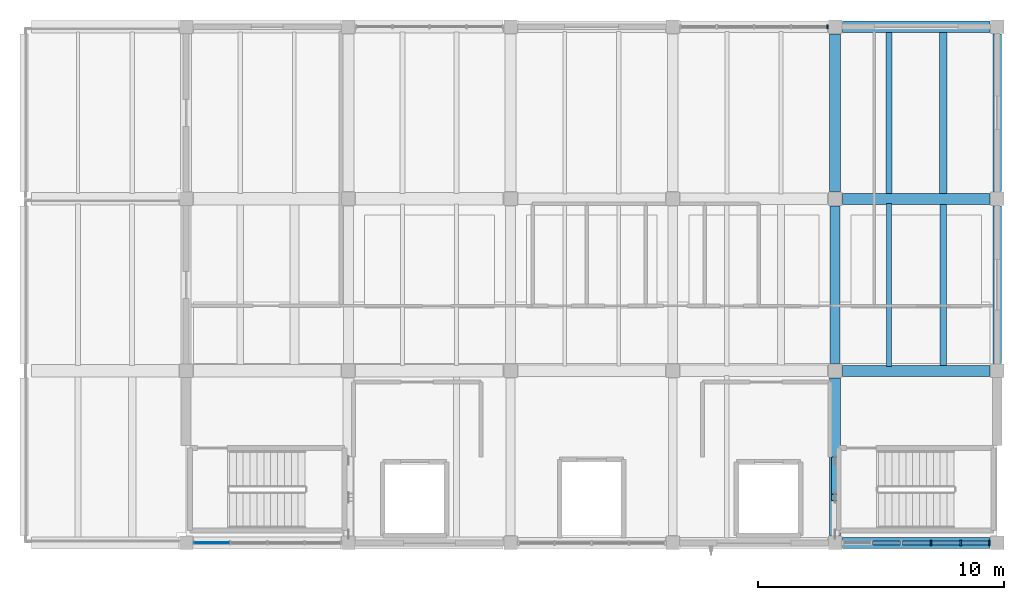
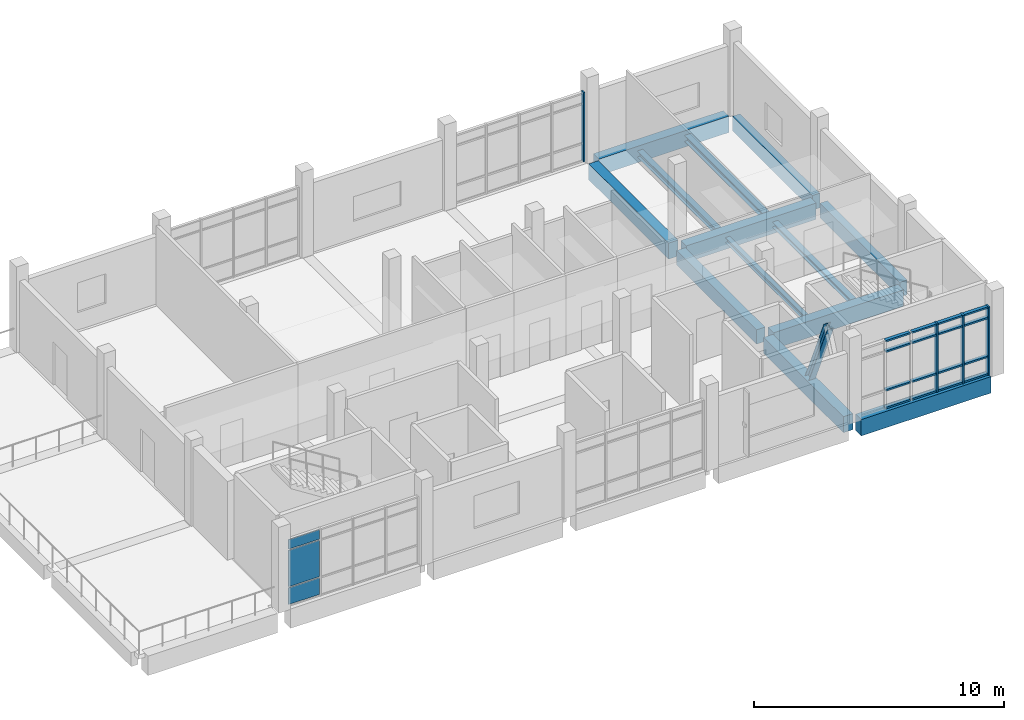
# One storey, part 5 of 12: 21 members, 13 beams, 3 plates, 3 elements without a shape of their own.
"""IFC4 building model written with IfcOpenShell, lengths in metres."""

from ifc_helpers import new_model, si_unit, direction, frame, origin, origin_2d, place, context, subcontext, project, spatial, rectangle, i_section, extrude, material, layer, layer_set, material_profile, profile_set, type_object, element, aggregate, save


model = new_model("IFC4")

# Units and contexts
model_context = context("Model", 3, precision=1e-05, world=origin(), true_north=direction((0.0, 1.0)))
body_context = subcontext(model_context, "Body", "Model", "MODEL_VIEW")
ifc_project = project(units=[si_unit("LENGTHUNIT", "METRE"), si_unit("AREAUNIT", "SQUARE_METRE"), si_unit("VOLUMEUNIT", "CUBIC_METRE"), si_unit("PLANEANGLEUNIT", "RADIAN"), si_unit("MASSUNIT", "GRAM", prefix="KILO")], contexts=[model_context])

# Site, building, storey
site_placement = place(None, origin())
site = spatial("IfcSite", under=ifc_project, at=site_placement, CompositionType="ELEMENT")
building_placement = place(site_placement, origin())
building = spatial("IfcBuilding", under=site, at=building_placement, Name="Ciguamira Faculty of Natural Sciences", CompositionType="ELEMENT")
storey_placement = place(building_placement, frame((0.0, 0.0, 37.800048828125)))
storey = spatial("IfcBuildingStorey", under=building, at=storey_placement, Name="L09", CompositionType="ELEMENT", Elevation=37.800048828125)

# Curtain wall, member
ifc_material_1 = material(Name="Anodized aluminium curtain wall", Category="aluminium")
curtain_wall_type_1 = type_object("IfcCurtainWallType", Name="CurtainWall_CW-08", PredefinedType="USERDEFINED", material=ifc_material_1)
curtain_wall_1_placement = place(storey_placement, origin())
curtain_wall_1 = element("IfcCurtainWall", 1, at=curtain_wall_1_placement, inside=storey, type_object=curtain_wall_type_1, Name="L09 unitised curtain wall 0164", ObjectType="UNITISED CURTAIN WALL", PredefinedType="USERDEFINED")
ifc_material_2 = material(Name="Anodized aluminium mullion", Category="aluminium")
ifc_material_profile_1 = material_profile(ifc_material_2, rectangle(XDim=0.070068359375, YDim=0.179931640625, at=origin_2d()), Name="ALU-MUL-70X180")
ifc_profile_set_1 = profile_set([ifc_material_profile_1], Name="Anodized aluminium mullion")
member_type_1 = type_object("IfcMemberType", Name="CWMullion_CWM-02", PredefinedType="MULLION", material=ifc_profile_set_1)
member_1_placement = place(storey_placement, frame((96.590087890625, 115.0, 0.0), z_axis=(0.0, 0.0, 1.0), x_axis=(1.0, 0.0, 0.0)))
member_1 = element("IfcMember", 2, at=member_1_placement, type_object=member_type_1, Name="CW-08 mullion 5", PredefinedType="MULLION", context=body_context, shape_type="SweptSolid", body=[
    extrude(rectangle(XDim=0.070068359375, YDim=0.179931640625, at=origin_2d()), origin(), (0.0, 0.0, 1.0), 3.385009765625),
])
aggregate(curtain_wall_1, [member_1])

# Curtain wall, members
curtain_wall_type_2 = type_object("IfcCurtainWallType", Name="CurtainWall_CW-06", PredefinedType="USERDEFINED", material=ifc_material_1)
curtain_wall_2_placement = place(storey_placement, origin())
curtain_wall_2 = element("IfcCurtainWall", 3, at=curtain_wall_2_placement, inside=storey, type_object=curtain_wall_type_2, Name="L09 unitised curtain wall 0162", ObjectType="UNITISED CURTAIN WALL", PredefinedType="USERDEFINED")
ifc_material_profile_2 = material_profile(ifc_material_2, rectangle(XDim=0.080078125, YDim=0.219970703125, at=origin_2d()), Name="ALU-MUL-80X220")
ifc_profile_set_2 = profile_set([ifc_material_profile_2], Name="Anodized aluminium mullion")
member_type_2 = type_object("IfcMemberType", Name="CWMullion_CWM-03", PredefinedType="MULLION", material=ifc_profile_set_2)
member_2_placement = place(storey_placement, frame((100.804931640625, 94.0, 0.0), z_axis=(0.0, 0.0, 1.0), x_axis=(1.0, 0.0, 0.0)))
member_2 = element("IfcMember", 4, at=member_2_placement, type_object=member_type_2, Name="CW-06 mullion 4", PredefinedType="MULLION", context=body_context, shape_type="SweptSolid", body=[
    extrude(rectangle(XDim=0.080078125, YDim=0.219970703125, at=origin_2d()), origin(), (0.0, 0.0, 1.0), 3.344970703125),
])
member_3_placement = place(storey_placement, frame((102.014892578125, 94.0, 0.0), z_axis=(0.0, 0.0, 1.0), x_axis=(1.0, 0.0, 0.0)))
member_3 = element("IfcMember", 5, at=member_3_placement, type_object=member_type_2, Name="CW-06 mullion 5", PredefinedType="MULLION", context=body_context, shape_type="SweptSolid", body=[
    extrude(rectangle(XDim=0.080078125, YDim=0.219970703125, at=origin_2d()), origin(), (0.0, 0.0, 1.0), 3.344970703125),
])
member_4_placement = place(storey_placement, frame((103.18505859375, 94.0, 0.0), z_axis=(0.0, 0.0, 1.0), x_axis=(1.0, 0.0, 0.0)))
member_4 = element("IfcMember", 6, at=member_4_placement, type_object=member_type_2, Name="CW-06 mullion 6", PredefinedType="MULLION", context=body_context, shape_type="SweptSolid", body=[
    extrude(rectangle(XDim=0.080078125, YDim=0.219970703125, at=origin_2d()), origin(), (0.0, 0.0, 1.0), 3.344970703125),
])
ifc_material_3 = material(Name="Anodized aluminium transom", Category="aluminium")
ifc_material_profile_3 = material_profile(ifc_material_3, rectangle(XDim=0.080078125, YDim=0.159912109375, at=origin_2d()), Name="ALU-TRN-80X160")
ifc_profile_set_3 = profile_set([ifc_material_profile_3], Name="Anodized aluminium transom")
member_type_3 = type_object("IfcMemberType", Name="CWTransom_CWT-03", PredefinedType="USERDEFINED", material=ifc_profile_set_3)
member_5_placement = place(storey_placement, frame((98.425048828125, 94.0, 0.0400390625), z_axis=(1.0, 0.0, 0.0), x_axis=(0.0, 0.0, 1.0)))
member_5 = element("IfcMember", 7, at=member_5_placement, type_object=member_type_3, Name="CW-06 transom 2.1", ObjectType="TRANSOM", PredefinedType="USERDEFINED", context=body_context, shape_type="SweptSolid", body=[
    extrude(rectangle(XDim=0.080078125, YDim=0.159912109375, at=origin_2d()), origin(), (0.0, 0.0, 1.0), 1.1298828125),
])
member_6_placement = place(storey_placement, frame((98.425048828125, 94.0, 0.89990234375), z_axis=(1.0, 0.0, 0.0), x_axis=(0.0, 0.0, 1.0)))
member_6 = element("IfcMember", 8, at=member_6_placement, type_object=member_type_3, Name="CW-06 transom 2.2", ObjectType="TRANSOM", PredefinedType="USERDEFINED", context=body_context, shape_type="SweptSolid", body=[
    extrude(rectangle(XDim=0.080078125, YDim=0.159912109375, at=origin_2d()), origin(), (0.0, 0.0, 1.0), 1.1298828125),
])
member_7_placement = place(storey_placement, frame((98.425048828125, 94.0, 2.794921875), z_axis=(1.0, 0.0, 0.0), x_axis=(0.0, 0.0, 1.0)))
member_7 = element("IfcMember", 9, at=member_7_placement, type_object=member_type_3, Name="CW-06 transom 2.3", ObjectType="TRANSOM", PredefinedType="USERDEFINED", context=body_context, shape_type="SweptSolid", body=[
    extrude(rectangle(XDim=0.080078125, YDim=0.159912109375, at=origin_2d()), origin(), (0.0, 0.0, 1.0), 1.1298828125),
])
member_8_placement = place(storey_placement, frame((98.425048828125, 94.0, 3.304931640625), z_axis=(1.0, 0.0, 0.0), x_axis=(0.0, 0.0, 1.0)))
member_8 = element("IfcMember", 10, at=member_8_placement, type_object=member_type_3, Name="CW-06 transom 2.4", ObjectType="TRANSOM", PredefinedType="USERDEFINED", context=body_context, shape_type="SweptSolid", body=[
    extrude(rectangle(XDim=0.080078125, YDim=0.159912109375, at=origin_2d()), origin(), (0.0, 0.0, 1.0), 1.1298828125),
])
member_9_placement = place(storey_placement, frame((99.635009765625, 94.0, 0.0400390625), z_axis=(1.0, 0.0, 0.0), x_axis=(0.0, 0.0, 1.0)))
member_9 = element("IfcMember", 11, at=member_9_placement, type_object=member_type_3, Name="CW-06 transom 3.1", ObjectType="TRANSOM", PredefinedType="USERDEFINED", context=body_context, shape_type="SweptSolid", body=[
    extrude(rectangle(XDim=0.080078125, YDim=0.159912109375, at=origin_2d()), origin(), (0.0, 0.0, 1.0), 1.1298828125),
])
member_10_placement = place(storey_placement, frame((99.635009765625, 94.0, 0.89990234375), z_axis=(1.0, 0.0, 0.0), x_axis=(0.0, 0.0, 1.0)))
member_10 = element("IfcMember", 12, at=member_10_placement, type_object=member_type_3, Name="CW-06 transom 3.2", ObjectType="TRANSOM", PredefinedType="USERDEFINED", context=body_context, shape_type="SweptSolid", body=[
    extrude(rectangle(XDim=0.080078125, YDim=0.159912109375, at=origin_2d()), origin(), (0.0, 0.0, 1.0), 1.1298828125),
])
member_11_placement = place(storey_placement, frame((99.635009765625, 94.0, 2.794921875), z_axis=(1.0, 0.0, 0.0), x_axis=(0.0, 0.0, 1.0)))
member_11 = element("IfcMember", 13, at=member_11_placement, type_object=member_type_3, Name="CW-06 transom 3.3", ObjectType="TRANSOM", PredefinedType="USERDEFINED", context=body_context, shape_type="SweptSolid", body=[
    extrude(rectangle(XDim=0.080078125, YDim=0.159912109375, at=origin_2d()), origin(), (0.0, 0.0, 1.0), 1.1298828125),
])
member_12_placement = place(storey_placement, frame((99.635009765625, 94.0, 3.304931640625), z_axis=(1.0, 0.0, 0.0), x_axis=(0.0, 0.0, 1.0)))
member_12 = element("IfcMember", 14, at=member_12_placement, type_object=member_type_3, Name="CW-06 transom 3.4", ObjectType="TRANSOM", PredefinedType="USERDEFINED", context=body_context, shape_type="SweptSolid", body=[
    extrude(rectangle(XDim=0.080078125, YDim=0.159912109375, at=origin_2d()), origin(), (0.0, 0.0, 1.0), 1.1298828125),
])
member_13_placement = place(storey_placement, frame((100.844970703125, 94.0, 0.0400390625), z_axis=(1.0, 0.0, 0.0), x_axis=(0.0, 0.0, 1.0)))
member_13 = element("IfcMember", 15, at=member_13_placement, type_object=member_type_3, Name="CW-06 transom 4.1", ObjectType="TRANSOM", PredefinedType="USERDEFINED", context=body_context, shape_type="SweptSolid", body=[
    extrude(rectangle(XDim=0.080078125, YDim=0.159912109375, at=origin_2d()), origin(), (0.0, 0.0, 1.0), 1.130126953125),
])
member_14_placement = place(storey_placement, frame((100.844970703125, 94.0, 0.89990234375), z_axis=(1.0, 0.0, 0.0), x_axis=(0.0, 0.0, 1.0)))
member_14 = element("IfcMember", 16, at=member_14_placement, type_object=member_type_3, Name="CW-06 transom 4.2", ObjectType="TRANSOM", PredefinedType="USERDEFINED", context=body_context, shape_type="SweptSolid", body=[
    extrude(rectangle(XDim=0.080078125, YDim=0.159912109375, at=origin_2d()), origin(), (0.0, 0.0, 1.0), 1.130126953125),
])
member_15_placement = place(storey_placement, frame((100.844970703125, 94.0, 2.794921875), z_axis=(1.0, 0.0, 0.0), x_axis=(0.0, 0.0, 1.0)))
member_15 = element("IfcMember", 17, at=member_15_placement, type_object=member_type_3, Name="CW-06 transom 4.3", ObjectType="TRANSOM", PredefinedType="USERDEFINED", context=body_context, shape_type="SweptSolid", body=[
    extrude(rectangle(XDim=0.080078125, YDim=0.159912109375, at=origin_2d()), origin(), (0.0, 0.0, 1.0), 1.130126953125),
])
member_16_placement = place(storey_placement, frame((100.844970703125, 94.0, 3.304931640625), z_axis=(1.0, 0.0, 0.0), x_axis=(0.0, 0.0, 1.0)))
member_16 = element("IfcMember", 18, at=member_16_placement, type_object=member_type_3, Name="CW-06 transom 4.4", ObjectType="TRANSOM", PredefinedType="USERDEFINED", context=body_context, shape_type="SweptSolid", body=[
    extrude(rectangle(XDim=0.080078125, YDim=0.159912109375, at=origin_2d()), origin(), (0.0, 0.0, 1.0), 1.130126953125),
])
member_17_placement = place(storey_placement, frame((102.054931640625, 94.0, 0.0400390625), z_axis=(1.0, 0.0, 0.0), x_axis=(0.0, 0.0, 1.0)))
member_17 = element("IfcMember", 19, at=member_17_placement, type_object=member_type_3, Name="CW-06 transom 5.1", ObjectType="TRANSOM", PredefinedType="USERDEFINED", context=body_context, shape_type="SweptSolid", body=[
    extrude(rectangle(XDim=0.080078125, YDim=0.159912109375, at=origin_2d()), origin(), (0.0, 0.0, 1.0), 1.090087890625),
])
member_18_placement = place(storey_placement, frame((102.054931640625, 94.0, 0.89990234375), z_axis=(1.0, 0.0, 0.0), x_axis=(0.0, 0.0, 1.0)))
member_18 = element("IfcMember", 20, at=member_18_placement, type_object=member_type_3, Name="CW-06 transom 5.2", ObjectType="TRANSOM", PredefinedType="USERDEFINED", context=body_context, shape_type="SweptSolid", body=[
    extrude(rectangle(XDim=0.080078125, YDim=0.159912109375, at=origin_2d()), origin(), (0.0, 0.0, 1.0), 1.090087890625),
])
member_19_placement = place(storey_placement, frame((102.054931640625, 94.0, 2.794921875), z_axis=(1.0, 0.0, 0.0), x_axis=(0.0, 0.0, 1.0)))
member_19 = element("IfcMember", 21, at=member_19_placement, type_object=member_type_3, Name="CW-06 transom 5.3", ObjectType="TRANSOM", PredefinedType="USERDEFINED", context=body_context, shape_type="SweptSolid", body=[
    extrude(rectangle(XDim=0.080078125, YDim=0.159912109375, at=origin_2d()), origin(), (0.0, 0.0, 1.0), 1.090087890625),
])
member_20_placement = place(storey_placement, frame((102.054931640625, 94.0, 3.304931640625), z_axis=(1.0, 0.0, 0.0), x_axis=(0.0, 0.0, 1.0)))
member_20 = element("IfcMember", 22, at=member_20_placement, type_object=member_type_3, Name="CW-06 transom 5.4", ObjectType="TRANSOM", PredefinedType="USERDEFINED", context=body_context, shape_type="SweptSolid", body=[
    extrude(rectangle(XDim=0.080078125, YDim=0.159912109375, at=origin_2d()), origin(), (0.0, 0.0, 1.0), 1.090087890625),
])
aggregate(curtain_wall_2, [member_2, member_3, member_4, member_5, member_6, member_7, member_8, member_9, member_10, member_11, member_12, member_13, member_14, member_15, member_16, member_17, member_18, member_19, member_20])

# Beams
ifc_material_4 = material(Name="Concrete C40/50", Category="concrete")
ifc_material_profile_4 = material_profile(ifc_material_4, rectangle(XDim=0.449951171875, YDim=0.800048828125, at=origin_2d()), Name="RC-BM-450X800")
ifc_profile_set_4 = profile_set([ifc_material_profile_4], Name="Concrete C40/50")
beam_type_1 = type_object("IfcBeamType", Name="RCBeam_BG-05_RC-BM-450X800", PredefinedType="BEAM", material=ifc_profile_set_4)
for number, where, z_axis, x_axis, name in (
    (23, (97.199951171875, 94.0, -0.400146484375), (1.0, 0.0, 0.0), (0.0, 1.0, 0.0), "L09 RC girder EW-1638"),
    (24, (97.199951171875, 101.0, -0.400146484375), (1.0, 0.0, 0.0), (0.0, 1.0, 0.0), "L09 RC girder EW-1644"),
    (25, (97.199951171875, 108.0, -0.400146484375), (1.0, 0.0, 0.0), (0.0, 1.0, 0.0), "L09 RC girder EW-1650"),
    (26, (97.199951171875, 115.0, -0.400146484375), (1.0, 0.0, 0.0), (0.0, 1.0, 0.0), "L09 RC girder EW-1656"),
):
    element("IfcBeam", number, at=place(storey_placement, frame(where, z_axis=z_axis, x_axis=x_axis)), inside=storey, type_object=beam_type_1, Name=name, PredefinedType="BEAM", context=body_context, shape_type="SweptSolid", body=[
        extrude(rectangle(XDim=0.449951171875, YDim=0.800048828125, at=origin_2d()), origin(), (0.0, 0.0, 1.0), 6.0),
    ])
ifc_material_profile_5 = material_profile(ifc_material_4, rectangle(XDim=0.43994140625, YDim=0.780029296875, at=origin_2d()), Name="RC-BM-440X780")
ifc_profile_set_5 = profile_set([ifc_material_profile_5], Name="Concrete C40/50")
beam_type_2 = type_object("IfcBeamType", Name="RCBeam_BG-06_RC-BM-440X780", PredefinedType="BEAM", material=ifc_profile_set_5)
for number, where, z_axis, x_axis, name in (
    (27, (96.89990234375, 108.300048828125, -0.39013671875), (0.0, 1.0, 0.0), (-1.0, 0.0, 0.0), "L09 girder NS-1671"),
    (28, (96.89990234375, 94.300048828125, -0.39013671875), (0.0, 1.0, 0.0), (-1.0, 0.0, 0.0), "L09 core-end brace tie girder 96"),
):
    element("IfcBeam", number, at=place(storey_placement, frame(where, z_axis=z_axis, x_axis=x_axis)), inside=storey, type_object=beam_type_2, Name=name, PredefinedType="BEAM", context=body_context, shape_type="SweptSolid", body=[
        extrude(rectangle(XDim=0.43994140625, YDim=0.780029296875, at=origin_2d()), origin(), (0.0, 0.0, 1.0), 6.39990234375),
    ])
ifc_material_profile_6 = material_profile(ifc_material_4, rectangle(XDim=0.39990234375, YDim=0.699951171875, at=origin_2d()), Name="RC-BM-400X700")
ifc_profile_set_6 = profile_set([ifc_material_profile_6], Name="Concrete C40/50")
beam_type_3 = type_object("IfcBeamType", Name="RCBeam_BG-08_RC-BM-400X700", PredefinedType="BEAM", material=ifc_profile_set_6)
beam_1_placement = place(storey_placement, frame((96.89990234375, 101.300048828125, -0.35009765625), z_axis=(0.0, 1.0, 0.0), x_axis=(-1.0, 0.0, 0.0)))
element("IfcBeam", 29, at=beam_1_placement, inside=storey, type_object=beam_type_3, Name="L09 girder NS-1670", PredefinedType="BEAM", context=body_context, shape_type="SweptSolid", body=[
    extrude(rectangle(XDim=0.39990234375, YDim=0.699951171875, at=origin_2d()), origin(), (0.0, 0.0, 1.0), 6.39990234375),
])
ifc_material_5 = material(Name="Precast concrete C40/50", Category="concrete")
ifc_material_profile_7 = material_profile(ifc_material_5, rectangle(XDim=0.340087890625, YDim=0.719970703125, at=origin_2d()), Name="RC-SP-340X720")
ifc_profile_set_7 = profile_set([ifc_material_profile_7], Name="Precast concrete C40/50")
beam_type_4 = type_object("IfcBeamType", Name="RCBeam_SP-03_RC-SP-340X720", PredefinedType="SPANDREL", material=ifc_profile_set_7)
for number, where, z_axis, x_axis, name in (
    (30, (103.5, 101.300048828125, -0.360107421875), (0.0, 1.0, 0.0), (-1.0, 0.0, 0.0), "L09 girder NS-1672"),
    (31, (103.5, 108.300048828125, -0.360107421875), (0.0, 1.0, 0.0), (-1.0, 0.0, 0.0), "L09 girder NS-1673"),
):
    element("IfcBeam", number, at=place(storey_placement, frame(where, z_axis=z_axis, x_axis=x_axis)), inside=storey, type_object=beam_type_4, Name=name, PredefinedType="SPANDREL", context=body_context, shape_type="SweptSolid", body=[
        extrude(rectangle(XDim=0.340087890625, YDim=0.719970703125, at=origin_2d()), origin(), (0.0, 0.0, 1.0), 6.39990234375),
    ])
ifc_material_6 = material(Name="Steel ASTM A992 Grade 50", Category="steel")
ifc_material_profile_8 = material_profile(ifc_material_6, i_section(OverallWidth=0.2021484375, OverallDepth=0.2470703125, WebThickness=0.00732421875, FlangeThickness=0.010986328125, at=origin_2d()), Name="W10X33")
ifc_profile_set_8 = profile_set([ifc_material_profile_8], Name="Steel ASTM A992 Grade 50")
beam_type_5 = type_object("IfcBeamType", Name="SteelJoist_SJ-02_W10X33", PredefinedType="JOIST", material=ifc_profile_set_8)
beam_2_placement = place(storey_placement, frame((99.10009765625, 101.18505859375, -0.34375), z_axis=(0.0, 1.0, 0.0), x_axis=(-1.0, 0.0, 0.0)))
element("IfcBeam", 32, at=beam_2_placement, inside=storey, type_object=beam_type_5, Name="L09 composite steel joist 01502", PredefinedType="JOIST", context=body_context, shape_type="SweptSolid", body=[
    extrude(i_section(OverallWidth=0.2021484375, OverallDepth=0.2470703125, WebThickness=0.00732421875, FlangeThickness=0.010986328125, at=origin_2d()), origin(), (0.0, 0.0, 1.0), 6.6298828125),
])
ifc_material_profile_9 = material_profile(ifc_material_6, i_section(OverallWidth=0.25390625, OverallDepth=0.25390625, WebThickness=0.008544921875, FlangeThickness=0.01416015625, at=origin_2d()), Name="W10X49")
ifc_profile_set_9 = profile_set([ifc_material_profile_9], Name="Steel ASTM A992 Grade 50")
beam_type_6 = type_object("IfcBeamType", Name="SteelJoist_SJ-03_W10X49", PredefinedType="JOIST", material=ifc_profile_set_9)
beam_3_placement = place(storey_placement, frame((101.300048828125, 101.18505859375, -0.34716796875), z_axis=(0.0, 1.0, 0.0), x_axis=(-1.0, 0.0, 0.0)))
element("IfcBeam", 33, at=beam_3_placement, inside=storey, type_object=beam_type_6, Name="L09 composite steel joist 01503", PredefinedType="JOIST", context=body_context, shape_type="SweptSolid", body=[
    extrude(i_section(OverallWidth=0.25390625, OverallDepth=0.25390625, WebThickness=0.008544921875, FlangeThickness=0.01416015625, at=origin_2d()), origin(), (0.0, 0.0, 1.0), 6.6298828125),
])
ifc_material_profile_10 = material_profile(ifc_material_6, i_section(OverallWidth=0.25390625, OverallDepth=0.307373046875, WebThickness=0.0087890625, FlangeThickness=0.0146484375, at=origin_2d()), Name="W12X53")
ifc_profile_set_10 = profile_set([ifc_material_profile_10], Name="Steel ASTM A992 Grade 50")
beam_type_7 = type_object("IfcBeamType", Name="SteelJoist_SJ-07_W12X53", PredefinedType="JOIST", material=ifc_profile_set_10)
beam_4_placement = place(storey_placement, frame((99.10009765625, 108.18505859375, -0.373779296875), z_axis=(0.0, 1.0, 0.0), x_axis=(-1.0, 0.0, 0.0)))
element("IfcBeam", 34, at=beam_4_placement, inside=storey, type_object=beam_type_7, Name="L09 composite steel joist 01504", PredefinedType="JOIST", context=body_context, shape_type="SweptSolid", body=[
    extrude(i_section(OverallWidth=0.25390625, OverallDepth=0.307373046875, WebThickness=0.0087890625, FlangeThickness=0.0146484375, at=origin_2d()), origin(), (0.0, 0.0, 1.0), 6.6298828125),
])
ifc_material_profile_11 = material_profile(ifc_material_6, i_section(OverallWidth=0.3046875, OverallDepth=0.307373046875, WebThickness=0.010009765625, FlangeThickness=0.015380859375, at=origin_2d()), Name="W12X65")
ifc_profile_set_11 = profile_set([ifc_material_profile_11], Name="Steel ASTM A992 Grade 50")
beam_type_8 = type_object("IfcBeamType", Name="SteelJoist_SJ-08_W12X65", PredefinedType="JOIST", material=ifc_profile_set_11)
beam_5_placement = place(storey_placement, frame((101.300048828125, 108.18505859375, -0.373779296875), z_axis=(0.0, 1.0, 0.0), x_axis=(-1.0, 0.0, 0.0)))
element("IfcBeam", 35, at=beam_5_placement, inside=storey, type_object=beam_type_8, Name="L09 composite steel joist 01505", PredefinedType="JOIST", context=body_context, shape_type="SweptSolid", body=[
    extrude(i_section(OverallWidth=0.3046875, OverallDepth=0.307373046875, WebThickness=0.010009765625, FlangeThickness=0.015380859375, at=origin_2d()), origin(), (0.0, 0.0, 1.0), 6.6298828125),
])

# Member
ifc_material_profile_12 = material_profile(ifc_material_6, i_section(OverallWidth=0.3046875, OverallDepth=0.307373046875, WebThickness=0.010009765625, FlangeThickness=0.015380859375, at=origin_2d()), Name="W12X65")
ifc_profile_set_12 = profile_set([ifc_material_profile_12], Name="Steel ASTM A992 Grade 50")
member_type_4 = type_object("IfcMemberType", Name="SteelMember_BR-04_W12X65", PredefinedType="BRACE", material=ifc_profile_set_12)
member_21_placement = place(storey_placement, frame((96.89990234375, 97.35009765625, 0.0), z_axis=(0.0, -0.401669190317, 0.915784833653), x_axis=(1.0, 0.0, 0.0)))
element("IfcMember", 36, at=member_21_placement, inside=storey, type_object=member_type_4, Name="L09 lateral chevron brace 044", PredefinedType="BRACE", context=body_context, shape_type="SweptSolid", body=[
    extrude(i_section(OverallWidth=0.3046875, OverallDepth=0.307373046875, WebThickness=0.010009765625, FlangeThickness=0.015380859375, at=origin_2d()), origin(), (0.0, 0.0, 1.0), 3.734375),
])

# Curtain wall, plates
curtain_wall_type_3 = type_object("IfcCurtainWallType", Name="CurtainWall_CW-04", PredefinedType="USERDEFINED", material=ifc_material_1)
curtain_wall_3_placement = place(storey_placement, origin())
curtain_wall_3 = element("IfcCurtainWall", 37, at=curtain_wall_3_placement, inside=storey, type_object=curtain_wall_type_3, Name="L09 unitised curtain wall 0160", ObjectType="UNITISED CURTAIN WALL", PredefinedType="USERDEFINED")
ifc_material_7 = material(Name="Low-E laminated solar glass", Category="glass")
ifc_layer = layer(ifc_material_7, 0.035888671875, Name="Low-E laminated solar glass")
ifc_layer_set = layer_set([ifc_layer], Name="Low-E laminated solar glass")
plate_type = type_object("IfcPlateType", Name="CWPanel_CWP-02", PredefinedType="CURTAIN_PANEL", material=ifc_layer_set)
plate_1_placement = place(storey_placement, frame((71.546142578125, 94.0, 0.059814453125), z_axis=(0.0, 0.0, 1.0), x_axis=(1.0, 0.0, 0.0)))
plate_1 = element("IfcPlate", 38, at=plate_1_placement, type_object=plate_type, Name="CW-04 panel 1.1", PredefinedType="CURTAIN_PANEL", context=body_context, shape_type="SweptSolid", body=[
    extrude(rectangle(XDim=1.422607421875, YDim=0.035888671875, at=origin_2d()), origin(), (0.0, 0.0, 1.0), 0.81005859375),
])
plate_2_placement = place(storey_placement, frame((71.546142578125, 94.0, 0.929931640625), z_axis=(0.0, 0.0, 1.0), x_axis=(1.0, 0.0, 0.0)))
plate_2 = element("IfcPlate", 39, at=plate_2_placement, type_object=plate_type, Name="CW-04 panel 1.2", PredefinedType="CURTAIN_PANEL", context=body_context, shape_type="SweptSolid", body=[
    extrude(rectangle(XDim=1.422607421875, YDim=0.035888671875, at=origin_2d()), origin(), (0.0, 0.0, 1.0), 1.77490234375),
])
plate_3_placement = place(storey_placement, frame((71.546142578125, 94.0, 2.764892578125), z_axis=(0.0, 0.0, 1.0), x_axis=(1.0, 0.0, 0.0)))
plate_3 = element("IfcPlate", 40, at=plate_3_placement, type_object=plate_type, Name="CW-04 panel 1.3", PredefinedType="CURTAIN_PANEL", context=body_context, shape_type="SweptSolid", body=[
    extrude(rectangle(XDim=1.422607421875, YDim=0.035888671875, at=origin_2d()), origin(), (0.0, 0.0, 1.0), 0.4599609375),
])
aggregate(curtain_wall_3, [plate_1, plate_2, plate_3])

save(model, "model.ifc")
